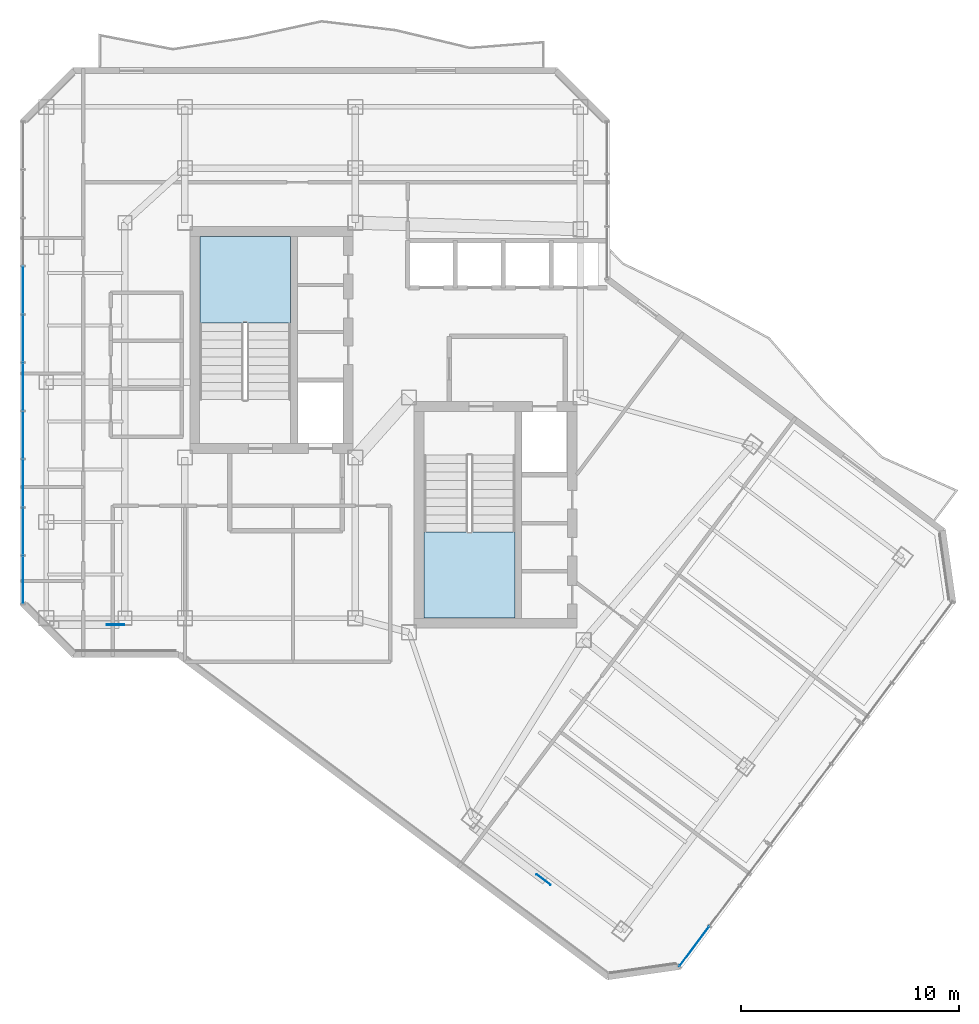
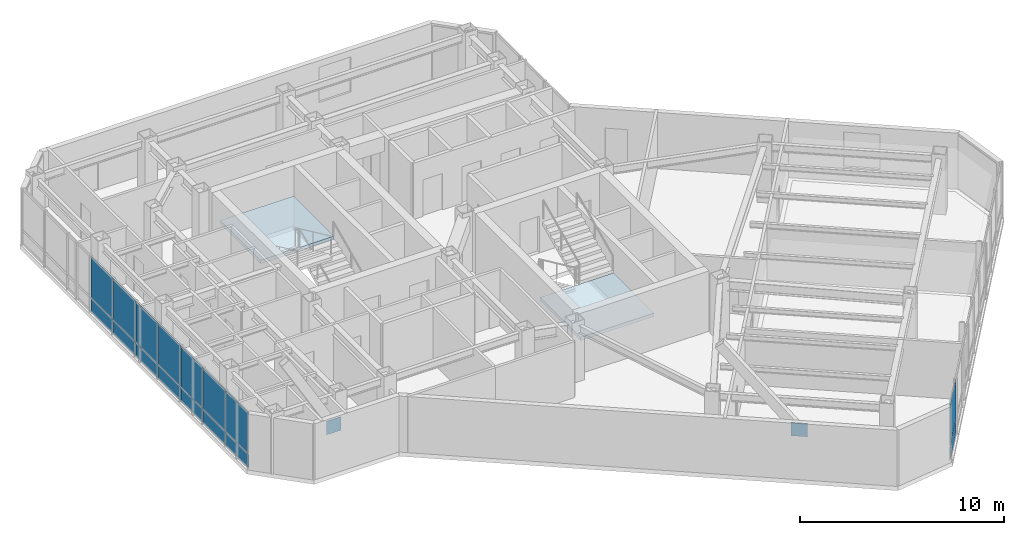
# One storey, part 18 of 26: 18 plates, 2 slabs, 4 elements without a shape of their own.
"""IFC4 building model written with IfcOpenShell, lengths in metres."""

from ifc_helpers import new_model, si_unit, direction, frame, origin, origin_2d, place, context, subcontext, project, spatial, polyline, rectangle, outline, extrude, material, layer, layer_set, type_object, element, aggregate, save


model = new_model("IFC4")

# Units and contexts
model_context = context("Model", 3, precision=1e-05, world=origin(), true_north=direction((0.0, 1.0)))
body_context = subcontext(model_context, "Body", "Model", "MODEL_VIEW")
ifc_project = project(units=[si_unit("LENGTHUNIT", "METRE"), si_unit("AREAUNIT", "SQUARE_METRE"), si_unit("VOLUMEUNIT", "CUBIC_METRE"), si_unit("PLANEANGLEUNIT", "RADIAN"), si_unit("MASSUNIT", "GRAM", prefix="KILO")], contexts=[model_context])

# Site, building, storey
site_placement = place(None, origin())
site = spatial("IfcSite", under=ifc_project, at=site_placement, CompositionType="ELEMENT")
building_placement = place(site_placement, origin())
building = spatial("IfcBuilding", under=site, at=building_placement, Name="Hatsunagi Terrace Concourse", CompositionType="ELEMENT")
storey_placement = place(building_placement, frame((0.0, 0.0, 227.550048828125)))
storey = spatial("IfcBuildingStorey", under=building, at=storey_placement, Name="L60", CompositionType="ELEMENT", Elevation=227.550048828125)

# Curtain wall, plate
ifc_material_1 = material(Name="Anodised Aluminium Alloy 6063-T5", Category="aluminium")
ifc_layer_1 = layer(ifc_material_1, 0.199951171875)
ifc_layer_set_1 = layer_set([ifc_layer_1], Name="OfficeZone2_CW04")
curtain_wall_type = type_object("IfcCurtainWallType", Name="OfficeZone2_CW04", PredefinedType="NOTDEFINED", material=ifc_layer_set_1)
curtain_wall_1_placement = place(storey_placement, origin())
curtain_wall_1 = element("IfcCurtainWall", 1, at=curtain_wall_1_placement, inside=storey, type_object=curtain_wall_type, Name="Unitised Curtain Wall CW-04 CW-L60-03", PredefinedType="NOTDEFINED")
ifc_material_2 = material(Name="Warm Terracotta Ceramic Spandrel Panel", Category="masonry")
ifc_layer_2 = layer(ifc_material_2, 0.031982421875)
ifc_layer_set_2 = layer_set([ifc_layer_2], Name="CurtainWallSpandrelPanel_32")
plate_type_1 = type_object("IfcPlateType", Name="CurtainWallSpandrelPanel_32", PredefinedType="SHEET", material=ifc_layer_set_2)
plate_1_placement = place(storey_placement, frame((48.85888671875, 10.177978515625, 0.030029296875), z_axis=(0.0, 0.0, 1.0), x_axis=(-0.599969314634, -0.800023013105, 0.0)))
plate_1 = element("IfcPlate", 2, at=plate_1_placement, type_object=plate_type_1, Name="Terracotta Spandrel Panel SPN-01", PredefinedType="SHEET", context=body_context, shape_type="SweptSolid", body=[
    extrude(rectangle(XDim=2.264892578125, YDim=0.031982421875, at=origin_2d()), origin(), (0.0, 0.0, 1.0), 0.7900390625),
])

# Curtain wall, plates
curtain_wall_2_placement = place(storey_placement, origin())
curtain_wall_2 = element("IfcCurtainWall", 3, at=curtain_wall_2_placement, inside=storey, type_object=curtain_wall_type, Name="Unitised Curtain Wall CW-04 CW-L60-08", PredefinedType="NOTDEFINED")
plate_2_placement = place(storey_placement, frame((18.139892578125, 26.9619140625, 0.030029296875), z_axis=(0.0, 0.0, 1.0), x_axis=(0.0, 1.0, 0.0)))
plate_2 = element("IfcPlate", 4, at=plate_2_placement, type_object=plate_type_1, Name="Terracotta Spandrel Panel SPN-01", PredefinedType="SHEET", context=body_context, shape_type="SweptSolid", body=[
    extrude(rectangle(XDim=2.153076171875, YDim=0.031982421875, at=origin_2d()), origin(), (0.0, 0.0, 1.0), 0.7900390625),
])
plate_3_placement = place(storey_placement, frame((18.139892578125, 29.1708984375, 0.030029296875), z_axis=(0.0, 0.0, 1.0), x_axis=(0.0, 1.0, 0.0)))
plate_3 = element("IfcPlate", 5, at=plate_3_placement, type_object=plate_type_1, Name="Terracotta Spandrel Panel SPN-01", PredefinedType="SHEET", context=body_context, shape_type="SweptSolid", body=[
    extrude(rectangle(XDim=2.153076171875, YDim=0.031982421875, at=origin_2d()), origin(), (0.0, 0.0, 1.0), 0.7900390625),
])
plate_4_placement = place(storey_placement, frame((18.139892578125, 31.37890625, 0.030029296875), z_axis=(0.0, 0.0, 1.0), x_axis=(0.0, 1.0, 0.0)))
plate_4 = element("IfcPlate", 6, at=plate_4_placement, type_object=plate_type_1, Name="Terracotta Spandrel Panel SPN-01", PredefinedType="SHEET", context=body_context, shape_type="SweptSolid", body=[
    extrude(rectangle(XDim=2.153076171875, YDim=0.031982421875, at=origin_2d()), origin(), (0.0, 0.0, 1.0), 0.7900390625),
])
plate_5_placement = place(storey_placement, frame((18.139892578125, 33.5869140625, 0.030029296875), z_axis=(0.0, 0.0, 1.0), x_axis=(0.0, 1.0, 0.0)))
plate_5 = element("IfcPlate", 7, at=plate_5_placement, type_object=plate_type_1, Name="Terracotta Spandrel Panel SPN-01", PredefinedType="SHEET", context=body_context, shape_type="SweptSolid", body=[
    extrude(rectangle(XDim=2.153076171875, YDim=0.031982421875, at=origin_2d()), origin(), (0.0, 0.0, 1.0), 0.7900390625),
])
plate_6_placement = place(storey_placement, frame((18.139892578125, 35.7958984375, 0.030029296875), z_axis=(0.0, 0.0, 1.0), x_axis=(0.0, 1.0, 0.0)))
plate_6 = element("IfcPlate", 8, at=plate_6_placement, type_object=plate_type_1, Name="Terracotta Spandrel Panel SPN-01", PredefinedType="SHEET", context=body_context, shape_type="SweptSolid", body=[
    extrude(rectangle(XDim=2.153076171875, YDim=0.031982421875, at=origin_2d()), origin(), (0.0, 0.0, 1.0), 0.7900390625),
])
plate_7_placement = place(storey_placement, frame((18.139892578125, 38.00390625, 0.030029296875), z_axis=(0.0, 0.0, 1.0), x_axis=(0.0, 1.0, 0.0)))
plate_7 = element("IfcPlate", 9, at=plate_7_placement, type_object=plate_type_1, Name="Terracotta Spandrel Panel SPN-01", PredefinedType="SHEET", context=body_context, shape_type="SweptSolid", body=[
    extrude(rectangle(XDim=2.153076171875, YDim=0.031982421875, at=origin_2d()), origin(), (0.0, 0.0, 1.0), 0.7900390625),
])
plate_8_placement = place(storey_placement, frame((18.139892578125, 40.212890625, 0.030029296875), z_axis=(0.0, 0.0, 1.0), x_axis=(0.0, 1.0, 0.0)))
plate_8 = element("IfcPlate", 10, at=plate_8_placement, type_object=plate_type_1, Name="Terracotta Spandrel Panel SPN-01", PredefinedType="SHEET", context=body_context, shape_type="SweptSolid", body=[
    extrude(rectangle(XDim=2.153076171875, YDim=0.031982421875, at=origin_2d()), origin(), (0.0, 0.0, 1.0), 0.7900390625),
])

# Plate
ifc_material_3 = material(Name="Low-E Double Insulating Glass 28mm", Category="glass")
ifc_layer_3 = layer(ifc_material_3, 0.028076171875)
ifc_layer_set_3 = layer_set([ifc_layer_3], Name="CurtainWallVisionGlass_28")
plate_type_2 = type_object("IfcPlateType", Name="CurtainWallVisionGlass_28", PredefinedType="CURTAIN_PANEL", material=ifc_layer_set_3)
plate_9_placement = place(storey_placement, frame((48.85888671875, 10.177978515625, 0.8798828125), z_axis=(0.0, 0.0, 1.0), x_axis=(-0.599969314634, -0.800023013105, 0.0)))
plate_9 = element("IfcPlate", 11, at=plate_9_placement, type_object=plate_type_2, Name="Low-E Vision Glass Panel GLZ-01", PredefinedType="CURTAIN_PANEL", context=body_context, shape_type="SweptSolid", body=[
    extrude(rectangle(XDim=2.264892578125, YDim=0.028076171875, at=origin_2d()), origin(), (0.0, 0.0, 1.0), 2.43994140625),
])

aggregate(curtain_wall_1, [plate_1, plate_9])

plate_10_placement = place(storey_placement, frame((18.139892578125, 26.9619140625, 0.8798828125), z_axis=(0.0, 0.0, 1.0), x_axis=(0.0, 1.0, 0.0)))
plate_10 = element("IfcPlate", 12, at=plate_10_placement, type_object=plate_type_2, Name="Low-E Vision Glass Panel GLZ-01", PredefinedType="CURTAIN_PANEL", context=body_context, shape_type="SweptSolid", body=[
    extrude(rectangle(XDim=2.153076171875, YDim=0.028076171875, at=origin_2d()), origin(), (0.0, 0.0, 1.0), 2.43994140625),
])

plate_11_placement = place(storey_placement, frame((18.139892578125, 29.1708984375, 0.8798828125), z_axis=(0.0, 0.0, 1.0), x_axis=(0.0, 1.0, 0.0)))
plate_11 = element("IfcPlate", 13, at=plate_11_placement, type_object=plate_type_2, Name="Low-E Vision Glass Panel GLZ-01", PredefinedType="CURTAIN_PANEL", context=body_context, shape_type="SweptSolid", body=[
    extrude(rectangle(XDim=2.153076171875, YDim=0.028076171875, at=origin_2d()), origin(), (0.0, 0.0, 1.0), 2.43994140625),
])

plate_12_placement = place(storey_placement, frame((18.139892578125, 31.37890625, 0.8798828125), z_axis=(0.0, 0.0, 1.0), x_axis=(0.0, 1.0, 0.0)))
plate_12 = element("IfcPlate", 14, at=plate_12_placement, type_object=plate_type_2, Name="Low-E Vision Glass Panel GLZ-01", PredefinedType="CURTAIN_PANEL", context=body_context, shape_type="SweptSolid", body=[
    extrude(rectangle(XDim=2.153076171875, YDim=0.028076171875, at=origin_2d()), origin(), (0.0, 0.0, 1.0), 2.43994140625),
])

plate_13_placement = place(storey_placement, frame((18.139892578125, 33.5869140625, 0.8798828125), z_axis=(0.0, 0.0, 1.0), x_axis=(0.0, 1.0, 0.0)))
plate_13 = element("IfcPlate", 15, at=plate_13_placement, type_object=plate_type_2, Name="Low-E Vision Glass Panel GLZ-01", PredefinedType="CURTAIN_PANEL", context=body_context, shape_type="SweptSolid", body=[
    extrude(rectangle(XDim=2.153076171875, YDim=0.028076171875, at=origin_2d()), origin(), (0.0, 0.0, 1.0), 2.43994140625),
])

plate_14_placement = place(storey_placement, frame((18.139892578125, 35.7958984375, 0.8798828125), z_axis=(0.0, 0.0, 1.0), x_axis=(0.0, 1.0, 0.0)))
plate_14 = element("IfcPlate", 16, at=plate_14_placement, type_object=plate_type_2, Name="Low-E Vision Glass Panel GLZ-01", PredefinedType="CURTAIN_PANEL", context=body_context, shape_type="SweptSolid", body=[
    extrude(rectangle(XDim=2.153076171875, YDim=0.028076171875, at=origin_2d()), origin(), (0.0, 0.0, 1.0), 2.43994140625),
])

plate_15_placement = place(storey_placement, frame((18.139892578125, 38.00390625, 0.8798828125), z_axis=(0.0, 0.0, 1.0), x_axis=(0.0, 1.0, 0.0)))
plate_15 = element("IfcPlate", 17, at=plate_15_placement, type_object=plate_type_2, Name="Low-E Vision Glass Panel GLZ-01", PredefinedType="CURTAIN_PANEL", context=body_context, shape_type="SweptSolid", body=[
    extrude(rectangle(XDim=2.153076171875, YDim=0.028076171875, at=origin_2d()), origin(), (0.0, 0.0, 1.0), 2.43994140625),
])

plate_16_placement = place(storey_placement, frame((18.139892578125, 40.212890625, 0.8798828125), z_axis=(0.0, 0.0, 1.0), x_axis=(0.0, 1.0, 0.0)))
plate_16 = element("IfcPlate", 18, at=plate_16_placement, type_object=plate_type_2, Name="Low-E Vision Glass Panel GLZ-01", PredefinedType="CURTAIN_PANEL", context=body_context, shape_type="SweptSolid", body=[
    extrude(rectangle(XDim=2.153076171875, YDim=0.028076171875, at=origin_2d()), origin(), (0.0, 0.0, 1.0), 2.43994140625),
])

aggregate(curtain_wall_2, [plate_2, plate_10, plate_3, plate_11, plate_4, plate_12, plate_5, plate_13, plate_6, plate_14, plate_7, plate_15, plate_8, plate_16])

# Stair, slab
ifc_material_4 = material(Name="Concrete Fc42", Category="concrete")
stair_type = type_object("IfcStairType", Name="DoglegExitStair_Tower2000_20R_180", PredefinedType="HALF_TURN_STAIR", material=ifc_material_4)
stair_1_placement = place(storey_placement, origin())
stair_1 = element("IfcStair", 19, at=stair_1_placement, inside=storey, type_object=stair_type, Name="L60 Core A Protected Exit Stair ST-A", PredefinedType="HALF_TURN_STAIR")
ifc_material_5 = material(Name="Concrete Fc42", Category="concrete")
ifc_layer_4 = layer(ifc_material_5, 0.199951171875)
ifc_layer_set_4 = layer_set([ifc_layer_4], Name="DoglegStairLanding_Tower2000")
slab_type = type_object("IfcSlabType", Name="DoglegStairLanding_Tower2000", PredefinedType="LANDING", material=ifc_layer_set_4)
slab_1_placement = place(storey_placement, frame((0.0, 0.0, 1.599853515625)))
slab_1 = element("IfcSlab", 20, at=slab_1_placement, type_object=slab_type, Name="ST-A landing 1", PredefinedType="LANDING", context=body_context, shape_type="SweptSolid", body=[
    extrude(outline(polyline([(30.3798828125, 38.7099609375), (30.3798828125, 42.659912109375), (26.22998046875, 42.659912109375), (26.22998046875, 38.7099609375), (30.3798828125, 38.7099609375)])), origin(), (0.0, 0.0, 1.0), 0.2001953125),
])
aggregate(stair_1, [slab_1])

stair_2_placement = place(storey_placement, origin())
stair_2 = element("IfcStair", 21, at=stair_2_placement, inside=storey, type_object=stair_type, Name="L60 Core B Protected Exit Stair ST-B", PredefinedType="HALF_TURN_STAIR")
slab_2_placement = place(storey_placement, frame((0.0, 0.0, 1.599853515625)))
slab_2 = element("IfcSlab", 22, at=slab_2_placement, type_object=slab_type, Name="ST-B landing 1", PredefinedType="LANDING", context=body_context, shape_type="SweptSolid", body=[
    extrude(outline(polyline([(36.5, 29.14990234375), (36.5, 25.199951171875), (40.64990234375, 25.199951171875), (40.64990234375, 29.14990234375), (36.5, 29.14990234375)])), origin(), (0.0, 0.0, 1.0), 0.2001953125),
])
aggregate(stair_2, [slab_2])

# Plates
ifc_material_6 = material(Name="Steel SN490C", Category="steel")
ifc_layer_5 = layer(ifc_material_6, 0.031982421875)
ifc_layer_set_5 = layer_set([ifc_layer_5], Name="XBraceNodeCapPlate_32")
plate_type_3 = type_object("IfcPlateType", Name="XBraceNodeCapPlate_32", PredefinedType="USERDEFINED", material=ifc_layer_set_5)
for number, where, z_axis, x_axis, name in (
    (23, (22.375, 24.89990234375, 1.25), (0.0, 0.0, 1.0), (1.0, 0.0, 0.0), "X-Brace Crossing Gusset Node Plate GP-02 XB-L59-W1"),
    (24, (41.951904296875, 13.236083984375, 1.25), (0.0, 0.0, 1.0), (0.799999996291, -0.600000004945, 0.0), "X-Brace Crossing Gusset Node Plate GP-02 XB-L59-SE"),
):
    element("IfcPlate", number, at=place(storey_placement, frame(where, z_axis=z_axis, x_axis=x_axis)), inside=storey, type_object=plate_type_3, Name=name, ObjectType="GUSSET_PLATE", PredefinedType="USERDEFINED", context=body_context, shape_type="SweptSolid", body=[
        extrude(rectangle(XDim=0.800048828125, YDim=0.031982421875, at=origin_2d()), origin(), (0.0, 0.0, 1.0), 0.800048828125),
    ])

save(model, "model.ifc")
